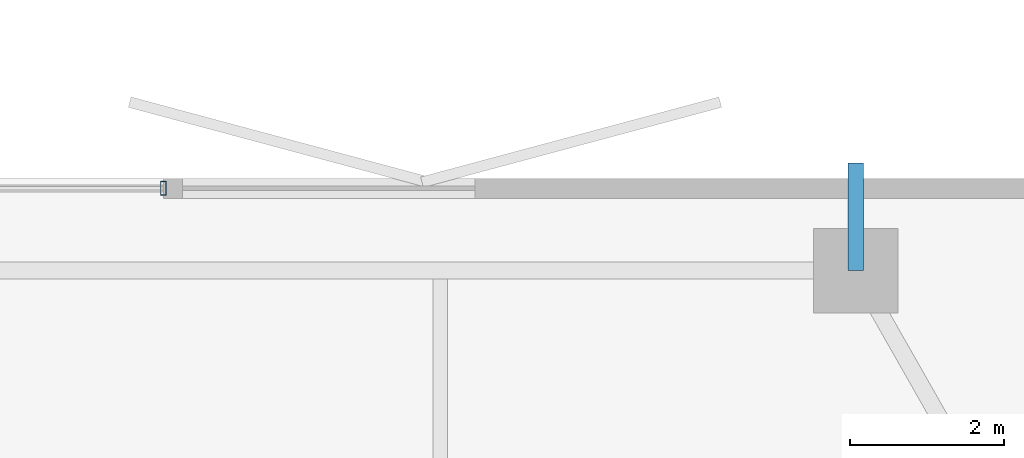
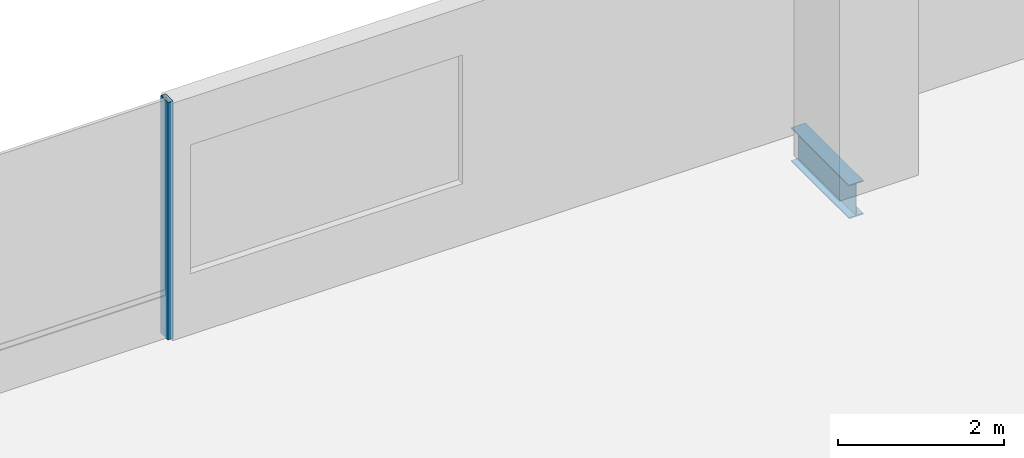
# One storey, part 15 of 24: 1 beam, 1 member, 1 element without a shape of its own.
"""IFC4 building model written with IfcOpenShell, lengths in metres."""

from ifc_helpers import new_model, si_unit, direction, frame, origin, origin_2d, place, context, subcontext, project, spatial, hollow_rectangle, i_section, extrude, material, layer, layer_set, material_profile, profile_set, type_object, element, aggregate, save


model = new_model("IFC4")

# Units and contexts
model_context = context("Model", 3, precision=1e-05, world=origin(), true_north=direction((0.0, 1.0)))
body_context = subcontext(model_context, "Body", "Model", "MODEL_VIEW")
ifc_project = project(units=[si_unit("LENGTHUNIT", "METRE"), si_unit("AREAUNIT", "SQUARE_METRE"), si_unit("VOLUMEUNIT", "CUBIC_METRE"), si_unit("PLANEANGLEUNIT", "RADIAN"), si_unit("MASSUNIT", "GRAM", prefix="KILO")], contexts=[model_context])

# Site, building, storey
site_placement = place(None, origin())
site = spatial("IfcSite", under=ifc_project, at=site_placement, CompositionType="ELEMENT")
building_placement = place(site_placement, origin())
building = spatial("IfcBuilding", under=site, at=building_placement, Name="Belovzor Exchange Tower", CompositionType="ELEMENT")
storey_placement = place(building_placement, frame((0.0, 0.0, 214.949951171875)))
storey = spatial("IfcBuildingStorey", under=building, at=storey_placement, Name="L53", CompositionType="ELEMENT", Elevation=214.949951171875)

# Beam
ifc_material_1 = material(Name="Steel S355", Category="steel")
ifc_material_profile_1 = material_profile(ifc_material_1, i_section(OverallWidth=0.199951171875, OverallDepth=0.5, WebThickness=0.01025390625, FlangeThickness=0.01611328125, at=origin_2d()))
ifc_profile_set_1 = profile_set([ifc_material_profile_1], Name="Steel S355")
beam_type = type_object("IfcBeamType", Name="Planted Balcony Cantilever Beam IPE 500", PredefinedType="BEAM", material=ifc_profile_set_1)
beam_placement = place(storey_placement, frame((42.60009765625, 54.60009765625, -0.5), z_axis=(0.0, 1.0, 0.0), x_axis=(-1.0, 0.0, 0.0)))
element("IfcBeam", 1, at=beam_placement, inside=storey, type_object=beam_type, Name="BC-500 Planted Balcony Cantilever Beam IPE 500", PredefinedType="BEAM", context=body_context, shape_type="SweptSolid", body=[
    extrude(i_section(OverallWidth=0.199951171875, OverallDepth=0.5, WebThickness=0.01025390625, FlangeThickness=0.01611328125, at=origin_2d()), origin(), (0.0, 0.0, 1.0), 1.39990234375),
])

# Curtain wall, member
ifc_material_2 = material(Name="Anodised Aluminium Framing", Category="aluminium")
ifc_layer = layer(ifc_material_2, 0.179931640625)
ifc_layer_set = layer_set([ifc_layer], Name="Anodised Aluminium Framing")
curtain_wall_type = type_object("IfcCurtainWallType", Name="Recessed Loggia Low-Iron Triple-Glazed Curtain Wall", PredefinedType="NOTDEFINED", material=ifc_layer_set)
curtain_wall_placement = place(storey_placement, origin())
curtain_wall = element("IfcCurtainWall", 2, at=curtain_wall_placement, inside=storey, type_object=curtain_wall_type, Name="CW3 Recessed Loggia Low-Iron Triple-Glazed Curtain Wall L53", PredefinedType="NOTDEFINED")
ifc_material_3 = material(Name="Steel S355", Category="steel")
ifc_material_profile_2 = material_profile(ifc_material_3, hollow_rectangle(XDim=0.074951171875, YDim=0.179931640625, WallThickness=0.0048828125, at=origin_2d()))
ifc_profile_set_2 = profile_set([ifc_material_profile_2], Name="Steel S355")
member_type = type_object("IfcMemberType", Name="Thermally Broken Curtain Wall Mullion 180x75", PredefinedType="MULLION", material=ifc_profile_set_2)
member_placement = place(storey_placement, frame((33.60009765625, 55.669921875, 0.0), z_axis=(0.0, 0.0, 1.0), x_axis=(1.0, 0.0, 0.0)))
member = element("IfcMember", 3, at=member_placement, type_object=member_type, Name="CW-M180 Curtain Wall Mullion 4", PredefinedType="MULLION", context=body_context, shape_type="SweptSolid", body=[
    extrude(hollow_rectangle(XDim=0.074951171875, YDim=0.179931640625, WallThickness=0.0048828125, at=origin_2d()), origin(), (0.0, 0.0, 1.0), 3.5),
])
aggregate(curtain_wall, [member])

save(model, "model.ifc")
